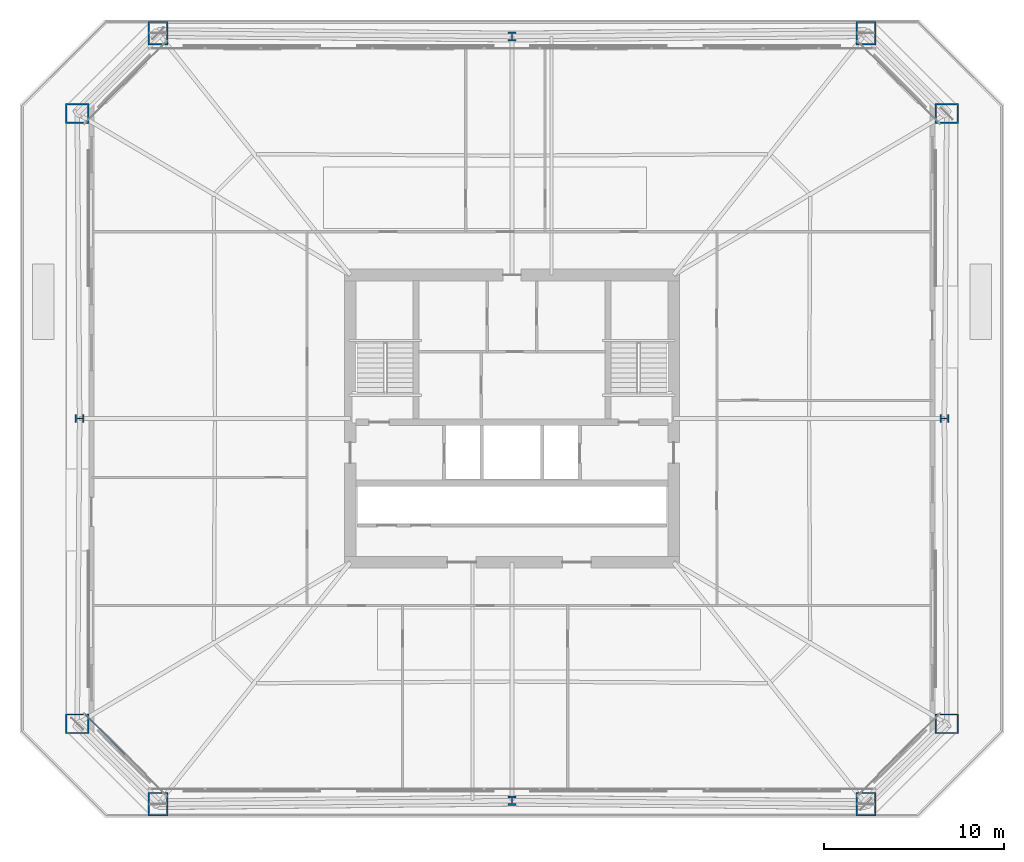
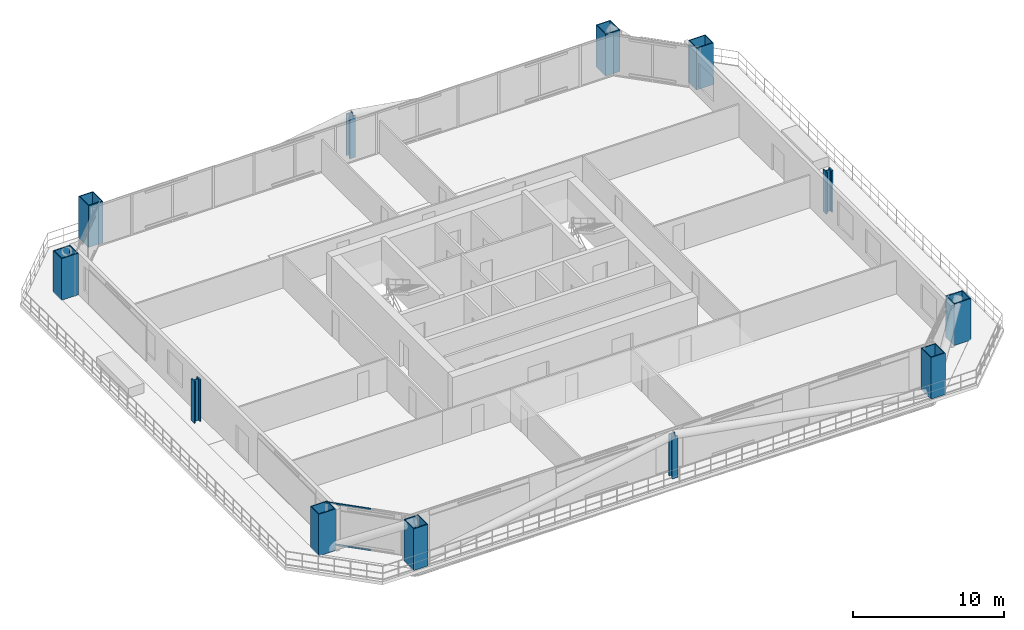
# One storey, part 1 of 34: 12 columns, 2 members, 1 element without a shape of its own.
"""IFC4 building model written with IfcOpenShell, lengths in metres."""

from ifc_helpers import new_model, si_unit, direction, frame, origin, origin_2d, place, context, subcontext, project, spatial, hollow_rectangle, i_section, extrude, material, layer, layer_set, material_profile, profile_set, type_object, element, aggregate, save


model = new_model("IFC4")

# Units and contexts
model_context = context("Model", 3, precision=1e-05, world=origin(), true_north=direction((0.0, 1.0)))
body_context = subcontext(model_context, "Body", "Model", "MODEL_VIEW")
ifc_project = project(units=[si_unit("LENGTHUNIT", "METRE"), si_unit("AREAUNIT", "SQUARE_METRE"), si_unit("VOLUMEUNIT", "CUBIC_METRE"), si_unit("PLANEANGLEUNIT", "RADIAN"), si_unit("MASSUNIT", "GRAM", prefix="KILO")], contexts=[model_context])

# Site, building, storey
site_placement = place(None, origin())
site = spatial("IfcSite", under=ifc_project, at=site_placement, CompositionType="ELEMENT")
building_placement = place(site_placement, origin())
building = spatial("IfcBuilding", under=site, at=building_placement, Name="Caelvoria Tower", CompositionType="ELEMENT")
storey_placement = place(building_placement, frame((0.0, 0.0, 28.0)))
storey = spatial("IfcBuildingStorey", under=building, at=storey_placement, Name="L06", CompositionType="ELEMENT", Elevation=28.0)

# Columns
ifc_material_1 = material(Name="Structural Steel ASTM A913 Gr.65", Category="steel")
ifc_material_profile_1 = material_profile(ifc_material_1, i_section(OverallWidth=0.43896484375, OverallDepth=0.513916015625, WebThickness=0.059814453125, FlangeThickness=0.096923828125, FilletRadius=0.02490234375, at=origin_2d()), Name="Structural Steel ASTM A913 Gr.65")
ifc_profile_set_1 = profile_set([ifc_material_profile_1], Name="W360X818 - Structural Steel ASTM A913 Gr.65")
column_type_1 = type_object("IfcColumnType", Name="Heavy Frame Column W360X818", PredefinedType="COLUMN", material=ifc_profile_set_1)
for number, where, z_axis, x_axis, name in (
    (1, (46.0, 10.719970703125, 0.0), (0.0, 0.0, 1.0), (1.0, 0.0, 0.0), "Perimeter Megaframe Column L06-P01"),
    (2, (70.080078125, 32.0, 0.0), (0.0, 0.0, 1.0), (0.0, 1.0, 0.0), "Perimeter Megaframe Column L06-P04"),
    (3, (46.0, 53.280029296875, 0.0), (0.0, 0.0, 1.0), (1.0, 0.0, 0.0), "Perimeter Megaframe Column L06-P07"),
    (4, (21.919921875, 32.0, 0.0), (0.0, 0.0, 1.0), (0.0, 1.0, 0.0), "Perimeter Megaframe Column L06-P10"),
):
    element("IfcColumn", number, at=place(storey_placement, frame(where, z_axis=z_axis, x_axis=x_axis)), inside=storey, type_object=column_type_1, Name=name, PredefinedType="COLUMN", context=body_context, shape_type="SweptSolid", body=[
        extrude(i_section(OverallWidth=0.43896484375, OverallDepth=0.513916015625, WebThickness=0.059814453125, FlangeThickness=0.096923828125, FilletRadius=0.02490234375, at=origin_2d()), origin(), (0.0, 0.0, 1.0), 3.35791015625),
    ])
ifc_material_2 = material(Name="Structural Steel ASTM A572 Gr.50", Category="steel")
ifc_material_profile_2 = material_profile(ifc_material_2, hollow_rectangle(XDim=1.10009765625, YDim=1.300048828125, WallThickness=0.070068359375, at=origin_2d()), Name="Structural Steel ASTM A572 Gr.50")
ifc_profile_set_2 = profile_set([ifc_material_profile_2], Name="BOX1300X1100X70 - Structural Steel ASTM A572 Gr.50")
column_type_2 = type_object("IfcColumnType", Name="Mega Box Column 1300x1100x70", PredefinedType="COLUMN", material=ifc_profile_set_2)
for number, where, z_axis, x_axis, name in (
    (5, (26.287109375, 10.530517578125, 0.0), (0.0, 0.0, 1.0), (1.0, 0.0, 0.0), "Perimeter Megaframe Column L06-P00"),
    (6, (65.712890625, 10.530517578125, 0.0), (0.0, 0.0, 1.0), (1.0, 0.0, 0.0), "Perimeter Megaframe Column L06-P02"),
    (7, (70.210693359375, 15.013427734375, 0.0), (0.0, 0.0, 1.0), (0.0, 1.0, 0.0), "Perimeter Megaframe Column L06-P03"),
    (8, (70.210693359375, 48.986572265625, 0.0), (0.0, 0.0, 1.0), (0.0, 1.0, 0.0), "Perimeter Megaframe Column L06-P05"),
    (9, (65.712890625, 53.469482421875, 0.0), (0.0, 0.0, 1.0), (1.0, 0.0, 0.0), "Perimeter Megaframe Column L06-P06"),
    (10, (26.287109375, 53.469482421875, 0.0), (0.0, 0.0, 1.0), (1.0, 0.0, 0.0), "Perimeter Megaframe Column L06-P08"),
    (11, (21.789306640625, 48.986572265625, 0.0), (0.0, 0.0, 1.0), (0.0, 1.0, 0.0), "Perimeter Megaframe Column L06-P09"),
    (12, (21.789306640625, 15.013427734375, 0.0), (0.0, 0.0, 1.0), (0.0, 1.0, 0.0), "Perimeter Megaframe Column L06-P11"),
):
    element("IfcColumn", number, at=place(storey_placement, frame(where, z_axis=z_axis, x_axis=x_axis)), inside=storey, type_object=column_type_2, Name=name, PredefinedType="COLUMN", context=body_context, shape_type="SweptSolid", body=[
        extrude(hollow_rectangle(XDim=1.10009765625, YDim=1.300048828125, WallThickness=0.070068359375, at=origin_2d()), origin(), (0.0, 0.0, 1.0), 3.35791015625),
    ])

# Curtain wall, members
ifc_material_3 = material(Name="Anodised Bronze Aluminium and Low-E Glass", Category="aluminium")
ifc_layer = layer(ifc_material_3, 0.18505859375, Name="Anodised Bronze Aluminium and Low-E Glass")
ifc_layer_set = layer_set([ifc_layer], Name="CW System 2 Lower Tower Bronze Unitised Facade - Anodised Bronze Aluminium and Low-E Glass")
curtain_wall_type = type_object("IfcCurtainWallType", Name="CW System 2 Lower Tower Bronze Unitised Facade", PredefinedType="NOTDEFINED", material=ifc_layer_set)
curtain_wall_placement = place(storey_placement, origin())
curtain_wall = element("IfcCurtainWall", 13, at=curtain_wall_placement, inside=storey, type_object=curtain_wall_type, Name="CW-02 Curtain Wall L06-E7", PredefinedType="NOTDEFINED")
ifc_material_4 = material(Name="Anodised Bronze Architectural Aluminium", Category="aluminium")
ifc_material_profile_3 = material_profile(ifc_material_4, hollow_rectangle(XDim=0.06494140625, YDim=0.1298828125, WallThickness=0.00341796875, at=origin_2d()), Name="Anodised Bronze Architectural Aluminium")
ifc_profile_set_3 = profile_set([ifc_material_profile_3], Name="CW_TRAN_65X130 - Anodised Bronze Architectural Aluminium")
member_type = type_object("IfcMemberType", Name="Curtain Wall Transom 65x130 Bronze Aluminium", PredefinedType="USERDEFINED", material=ifc_profile_set_3)
member_1_placement = place(storey_placement, frame((22.2216796875, 15.52978515625, 0.032470703125), z_axis=(0.707145468468, -0.707068091789, 0.0), x_axis=(0.707068091789, 0.707145468468, 0.0)))
member_1 = element("IfcMember", 14, at=member_1_placement, type_object=member_type, Name="CW-02 transom 1.1", ObjectType="TRANSOM", PredefinedType="USERDEFINED", context=body_context, shape_type="SweptSolid", body=[
    extrude(hollow_rectangle(XDim=0.06494140625, YDim=0.1298828125, WallThickness=0.00341796875, at=origin_2d()), origin(), (0.0, 0.0, 1.0), 3.1552734375),
])
member_2_placement = place(storey_placement, frame((22.2216796875, 15.52978515625, 3.327392578125), z_axis=(0.707145468468, -0.707068091789, 0.0), x_axis=(0.707068091789, 0.707145468468, 0.0)))
member_2 = element("IfcMember", 15, at=member_2_placement, type_object=member_type, Name="CW-02 transom 1.2", ObjectType="TRANSOM", PredefinedType="USERDEFINED", context=body_context, shape_type="SweptSolid", body=[
    extrude(hollow_rectangle(XDim=0.06494140625, YDim=0.1298828125, WallThickness=0.00341796875, at=origin_2d()), origin(), (0.0, 0.0, 1.0), 3.1552734375),
])
aggregate(curtain_wall, [member_1, member_2])

save(model, "model.ifc")
